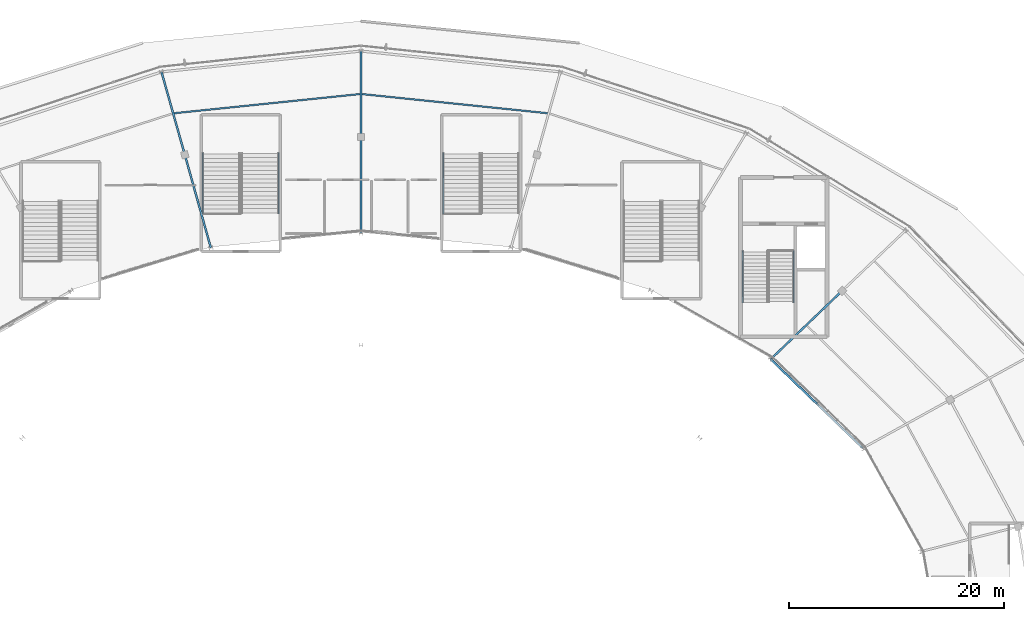
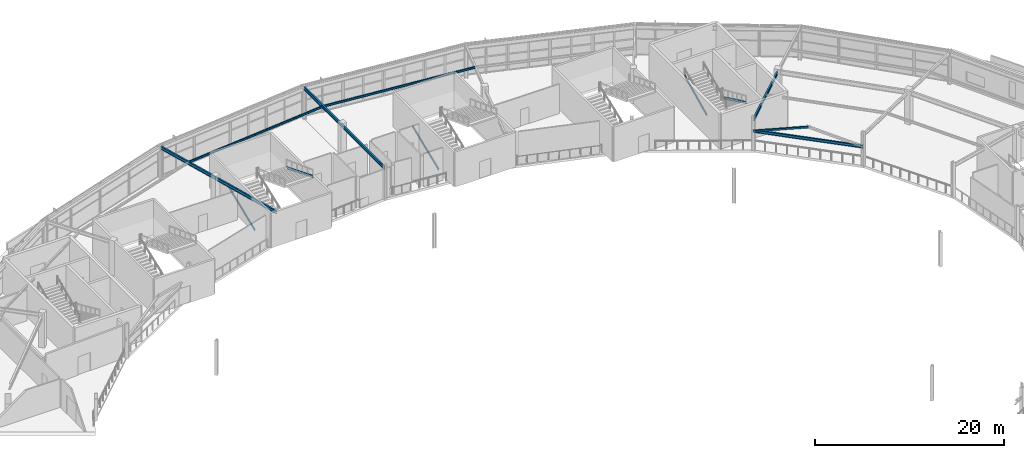
# One storey, part 68 of 126: 8 beams, 6 members.
"""IFC4 building model written with IfcOpenShell, lengths in metres."""

import ifcopenshell
import ifcopenshell.guid

model = None  # the IFC model being written
_history = None  # IfcOwnerHistory: only IFC2X3 demands one
_inside = {}  # id of a spatial element -> (the spatial element, [elements in it])
_under = {}  # id of a project, library or spatial element -> (it, [spatial elements below it])
_declared = {}  # id of a project -> (the project, [libraries it declares])
_typed = {}  # id of a type object -> (the type object, [elements of that type])
_made_of = {}  # id of a material, layer set ... -> (it, [elements and type objects made of it])


def new_model(schema):
    """Start an empty IFC model of exactly this schema.

    Asked for "IFC4X3", IfcOpenShell would pick the latest addendum, in which some entities
    have other attributes; the version numbers below select the first issue.
    IFC2X3 requires an IfcOwnerHistory on every rooted entity: one is made here for all.
    """
    global model, _history
    if schema == "IFC4X3":
        model = ifcopenshell.file(schema_version=(4, 3, 0, 0))
    else:
        model = ifcopenshell.file(schema=schema)
    _inside.clear()
    _under.clear()
    _declared.clear()
    _typed.clear()
    _made_of.clear()
    _history = None
    if model.schema == "IFC2X3":
        org = make("IfcOrganization", Name="unknown")
        user = make(
            "IfcPersonAndOrganization",
            ThePerson=make("IfcPerson", FamilyName="unknown"),
            TheOrganization=org,
        )
        app = make(
            "IfcApplication",
            ApplicationDeveloper=org,
            Version="unknown",
            ApplicationFullName="unknown",
            ApplicationIdentifier="unknown",
        )
        _history = make(
            "IfcOwnerHistory",
            OwningUser=user,
            OwningApplication=app,
            ChangeAction="ADDED",
            CreationDate=0,
        )
    return model


def make(cls, **values):
    """One entity of the class cls with the attributes given. An attribute that is None is left unset."""
    return model.create_entity(
        cls, **{name: value for name, value in values.items() if value is not None}
    )


def rooted(cls, **values):
    """An entity with a GlobalId (a new one), such as an element, a storey or a relation."""
    return make(cls, GlobalId=ifcopenshell.guid.new(), OwnerHistory=_history, **values)


def si_unit(unit_type, name, prefix=None):
    """IfcSIUnit, for example si_unit("LENGTHUNIT", "METRE", prefix="MILLI")."""
    return make("IfcSIUnit", UnitType=unit_type, Prefix=prefix, Name=name)


def assignment(units):
    """IfcUnitAssignment: the units of a project."""
    return None if units is None else make("IfcUnitAssignment", Units=units)


def point(xyz):
    """IfcCartesianPoint."""
    return None if xyz is None else make("IfcCartesianPoint", Coordinates=xyz)


def direction(xyz):
    """IfcDirection."""
    return None if xyz is None else make("IfcDirection", DirectionRatios=xyz)


def frame(location, z_axis=None, x_axis=None):
    """IfcAxis2Placement3D, a coordinate frame: its origin and axes. An axis left out is left unset."""
    return make(
        "IfcAxis2Placement3D",
        Location=point(location),
        Axis=direction(z_axis),
        RefDirection=direction(x_axis),
    )


def frame_2d(location, x_axis=None):
    """IfcAxis2Placement2D, a coordinate frame in the plane: its origin and x axis."""
    return make(
        "IfcAxis2Placement2D", Location=point(location), RefDirection=direction(x_axis)
    )


def origin():
    """The frame at (0, 0, 0) with its axes left unset."""
    return frame((0.0, 0.0, 0.0))


def origin_2d():
    """The frame at (0, 0) in the plane with its x axis left unset."""
    return frame_2d((0.0, 0.0))


def place(relative_to, where):
    """IfcLocalPlacement: puts the frame where relative to a parent placement (None: the world)."""
    return make(
        "IfcLocalPlacement", PlacementRelTo=relative_to, RelativePlacement=where
    )


def context(
    kind, dimensions, precision=None, world=None, true_north=None, identifier=None
):
    """IfcGeometricRepresentationContext, for example the 3D "Model" context."""
    return make(
        "IfcGeometricRepresentationContext",
        ContextIdentifier=identifier,
        ContextType=kind,
        CoordinateSpaceDimension=dimensions,
        Precision=precision,
        WorldCoordinateSystem=world,
        TrueNorth=true_north,
    )


def subcontext(parent, identifier, kind, view, scale=None):
    """IfcGeometricRepresentationSubContext, for example "Body" below "Model"."""
    return make(
        "IfcGeometricRepresentationSubContext",
        ContextIdentifier=identifier,
        ContextType=kind,
        ParentContext=parent,
        TargetScale=scale,
        TargetView=view,
    )


def project(units=None, contexts=None):
    """IfcProject with its units and contexts."""
    return rooted(
        "IfcProject",
        Name="project",
        RepresentationContexts=contexts,
        UnitsInContext=assignment(units),
    )


def spatial(cls, under=None, at=None, **own):
    """A site, building, storey or space (cls), placed at a placement, below another one or the project."""
    s = rooted(cls, ObjectPlacement=at, **own)
    if under is not None:
        _under.setdefault(under.id(), (under, []))[1].append(s)
    return s


def profile(cls, at=None, kind="AREA", **sizes):
    """A parametric profile (cls). Its sizes go by their IFC names, for example OverallWidth=200.0."""
    return make(cls, ProfileType=kind, Position=at, **sizes)


def hollow_rectangle(**sizes):
    """IfcRectangleHollowProfileDef."""
    return profile("IfcRectangleHollowProfileDef", **sizes)


def i_section(**sizes):
    """IfcIShapeProfileDef."""
    return profile("IfcIShapeProfileDef", **sizes)


def extrude(swept, where, along, depth):
    """IfcExtrudedAreaSolid: the profile swept, set in the frame where, extruded along a direction by depth."""
    return make(
        "IfcExtrudedAreaSolid",
        SweptArea=swept,
        Position=where,
        ExtrudedDirection=direction(along),
        Depth=depth,
    )


def shape(context_of_items, identifier, shape_type, items):
    """IfcShapeRepresentation: the items that make up one representation, for example the "Body"."""
    return make(
        "IfcShapeRepresentation",
        ContextOfItems=context_of_items,
        RepresentationIdentifier=identifier,
        RepresentationType=shape_type,
        Items=items,
    )


def material(Name=None, Category=None):
    """IfcMaterial."""
    return make("IfcMaterial", Name=Name, Category=Category)


def material_profile(
    of_material, cross_section, Name=None, Category=None, Priority=None
):
    """IfcMaterialProfile: a cross section and its material."""
    return make(
        "IfcMaterialProfile",
        Name=Name,
        Material=of_material,
        Profile=cross_section,
        Priority=Priority,
        Category=Category,
    )


def profile_set(profiles, Name=None, composite=None):
    """IfcMaterialProfileSet."""
    return make(
        "IfcMaterialProfileSet",
        Name=Name,
        MaterialProfiles=profiles,
        CompositeProfile=composite,
    )


def made_of(thing, what):
    """Note that an element or type object is made of a material, layer set ...; save() writes the relation."""
    if what is not None:
        _made_of.setdefault(what.id(), (what, []))[1].append(thing)
    return thing


def type_object(cls, material=None, **own):
    """A type object (cls), such as IfcWallType, which elements share."""
    return made_of(rooted(cls, **own), material)


def element(
    cls,
    number,
    at=None,
    inside=None,
    cuts=None,
    type_object=None,
    material=None,
    context=None,
    identifier="Body",
    shape_type=None,
    held_by="IfcProductDefinitionShape",
    body=None,
    shapes=None,
    **own,
):
    """One element of the class cls, such as IfcWall. Its Tag is "e" and its number.

    at: its placement. inside: the storey or other place that contains it. cuts: it is an
    opening in that element (IfcRelVoidsElement). A single representation is given by context,
    identifier, shape_type and body (its items); several are given by shapes. held_by: the class
    of the entity that holds the representations. save() writes the other relations.
    """
    e = rooted(cls, Tag="e%d" % number, ObjectPlacement=at, **own)
    if body is not None:
        shapes = [shape(context, identifier, shape_type, body)]
    if shapes is not None:
        e.Representation = make(held_by, Representations=shapes)
    if inside is not None:
        _inside.setdefault(inside.id(), (inside, []))[1].append(e)
    if cuts is not None:
        rooted(
            "IfcRelVoidsElement", RelatingBuildingElement=cuts, RelatedOpeningElement=e
        )
    if type_object is not None:
        _typed.setdefault(type_object.id(), (type_object, []))[1].append(e)
    return made_of(e, material)


def aggregate(whole, parts):
    """IfcRelAggregates: a whole, such as a stair, and the parts it consists of."""
    return rooted("IfcRelAggregates", RelatingObject=whole, RelatedObjects=parts)


def save(model, path):
    """Write the relations noted so far, then the file.

    IfcRelAggregates (storeys below a building ...), IfcRelContainedInSpatialStructure (elements
    in a storey), IfcRelDefinesByType, IfcRelAssociatesMaterial and IfcRelDeclares: one each for
    every whole, place, type object, material and project.
    """
    for whole, parts in _under.values():
        aggregate(whole, parts)
    for where, things in _inside.values():
        rooted(
            "IfcRelContainedInSpatialStructure",
            RelatedElements=things,
            RelatingStructure=where,
        )
    for kind, things in _typed.values():
        rooted("IfcRelDefinesByType", RelatedObjects=things, RelatingType=kind)
    for what, things in _made_of.values():
        rooted("IfcRelAssociatesMaterial", RelatedObjects=things, RelatingMaterial=what)
    for by, libraries in _declared.values():
        rooted("IfcRelDeclares", RelatingContext=by, RelatedDefinitions=libraries)
    model.write(path)


model = new_model("IFC4")

# Units and contexts
model_context = context("Model", 3, precision=1e-05, world=origin(), true_north=direction((0.0, 1.0)))
body_context = subcontext(model_context, "Body", "Model", "MODEL_VIEW")
ifc_project = project(units=[si_unit("LENGTHUNIT", "METRE"), si_unit("AREAUNIT", "SQUARE_METRE"), si_unit("VOLUMEUNIT", "CUBIC_METRE"), si_unit("PLANEANGLEUNIT", "RADIAN"), si_unit("MASSUNIT", "GRAM", prefix="KILO")], contexts=[model_context])

# Site, building, storey
site_placement = place(None, origin())
site = spatial("IfcSite", under=ifc_project, at=site_placement, CompositionType="ELEMENT")
building_placement = place(site_placement, origin())
building = spatial("IfcBuilding", under=site, at=building_placement, Name="Kalgoora Escarpment Arena", CompositionType="ELEMENT")
storey_placement = place(building_placement, frame((0.0, 0.0, 18.89990234375)))
storey = spatial("IfcBuildingStorey", under=building, at=storey_placement, Name="L04", CompositionType="ELEMENT", Elevation=18.89990234375)

# Beams
ifc_material_1 = material(Name="Structural steel AS/NZS 3679 (300 MPa)", Category="steel")
ifc_material_profile_1 = material_profile(ifc_material_1, i_section(OverallWidth=0.14599609375, OverallDepth=0.256103515625, WebThickness=0.00634765625, FlangeThickness=0.010986328125, at=origin_2d()))
ifc_profile_set_1 = profile_set([ifc_material_profile_1], Name="Structural steel AS/NZS 3679 (300 MPa)")
beam_type_1 = type_object("IfcBeamType", Name="BM-BEAM-250UB37.3", PredefinedType="BEAM", material=ifc_profile_set_1)
beam_1_placement = place(storey_placement, frame((109.896240234375, 115.194091796875, 4.08203125), z_axis=(-0.99471538009, 0.10267089467, 0.0), x_axis=(-0.10267089467, -0.99471538009, 0.0)))
element("IfcBeam", 1, at=beam_1_placement, inside=storey, type_object=beam_type_1, Name="L04 Concourse secondary ring beam 250UB37.3", PredefinedType="BEAM", context=body_context, shape_type="SweptSolid", body=[
    extrude(i_section(OverallWidth=0.14599609375, OverallDepth=0.256103515625, WebThickness=0.00634765625, FlangeThickness=0.010986328125, at=origin_2d()), origin(), (0.0, 0.0, 1.0), 17.58935546875),
])
beam_2_placement = place(storey_placement, frame((92.39990234375, 117.0, 4.08203125), z_axis=(-0.994715233773, -0.102672312238, 0.0), x_axis=(0.102672312238, -0.994715233773, 0.0)))
element("IfcBeam", 2, at=beam_2_placement, inside=storey, type_object=beam_type_1, Name="L04 Concourse secondary ring beam 250UB37.3", PredefinedType="BEAM", context=body_context, shape_type="SweptSolid", body=[
    extrude(i_section(OverallWidth=0.14599609375, OverallDepth=0.256103515625, WebThickness=0.00634765625, FlangeThickness=0.010986328125, at=origin_2d()), origin(), (0.0, 0.0, 1.0), 17.589111328125),
])
ifc_material_2 = material(Name="Structural steel AS/NZS 3679 (300 MPa)", Category="steel")
ifc_material_profile_2 = material_profile(ifc_material_2, i_section(OverallWidth=0.1708984375, OverallDepth=0.35205078125, WebThickness=0.0068359375, FlangeThickness=0.009765625, at=origin_2d()))
ifc_profile_set_2 = profile_set([ifc_material_profile_2], Name="Structural steel AS/NZS 3679 (300 MPa)")
beam_type_2 = type_object("IfcBeamType", Name="BM-BEAM-360UB44.7", PredefinedType="BEAM", material=ifc_profile_set_2)
beam_3_placement = place(storey_placement, frame((139.165283203125, 84.0, 2.524169921875), z_axis=(-0.719462119733, 0.694531682696, 0.0), x_axis=(-0.694531682696, -0.719462119733, 0.0)))
element("IfcBeam", 3, at=beam_3_placement, inside=storey, type_object=beam_type_2, Name="L04 Portal brace collector beam 360UB44.7", PredefinedType="BEAM", context=body_context, shape_type="SweptSolid", body=[
    extrude(i_section(OverallWidth=0.1708984375, OverallDepth=0.35205078125, WebThickness=0.0068359375, FlangeThickness=0.009765625, at=origin_2d()), origin(), (0.0, 0.0, 1.0), 11.927734375),
])
ifc_material_3 = material(Name="Structural steel AS/NZS 3679 (300 MPa)", Category="steel")
ifc_material_profile_3 = material_profile(ifc_material_3, i_section(OverallWidth=0.177978515625, OverallDepth=0.406005859375, WebThickness=0.0078125, FlangeThickness=0.0126953125, at=origin_2d()))
ifc_profile_set_3 = profile_set([ifc_material_profile_3], Name="Structural steel AS/NZS 3679 (300 MPa)")
beam_type_3 = type_object("IfcBeamType", Name="BM-GIRDER-410UB59.7", PredefinedType="USERDEFINED", material=ifc_profile_set_3)
beam_4_placement = place(storey_placement, frame((130.583740234375, 92.2841796875, 4.007080078125), z_axis=(0.722313931554, 0.691565314546, 0.0), x_axis=(-0.691565314546, 0.722313931554, 0.0)))
element("IfcBeam", 4, at=beam_4_placement, inside=storey, type_object=beam_type_3, Name="L04 Radial concourse girder 410UB59.7", ObjectType="GIRDER", PredefinedType="USERDEFINED", context=body_context, shape_type="SweptSolid", body=[
    extrude(i_section(OverallWidth=0.177978515625, OverallDepth=0.406005859375, WebThickness=0.0078125, FlangeThickness=0.0126953125, at=origin_2d()), origin(), (0.0, 0.0, 1.0), 9.202392578125),
])
beam_5_placement = place(storey_placement, frame((92.39990234375, 104.0, 4.007080078125), z_axis=(0.0, 1.0, 0.0), x_axis=(-1.0, 0.0, 0.0)))
element("IfcBeam", 5, at=beam_5_placement, inside=storey, type_object=beam_type_3, Name="L04 Radial concourse girder 410UB59.7", ObjectType="GIRDER", PredefinedType="USERDEFINED", context=body_context, shape_type="SweptSolid", body=[
    extrude(i_section(OverallWidth=0.177978515625, OverallDepth=0.406005859375, WebThickness=0.0078125, FlangeThickness=0.0126953125, at=origin_2d()), origin(), (0.0, 0.0, 1.0), 9.0),
])
beam_6_placement = place(storey_placement, frame((92.39990234375, 113.0, 4.007080078125), z_axis=(0.0, 1.0, 0.0), x_axis=(-1.0, 0.0, 0.0)))
element("IfcBeam", 6, at=beam_6_placement, inside=storey, type_object=beam_type_3, Name="L04 Radial concourse girder 410UB59.7", ObjectType="GIRDER", PredefinedType="USERDEFINED", context=body_context, shape_type="SweptSolid", body=[
    extrude(i_section(OverallWidth=0.177978515625, OverallDepth=0.406005859375, WebThickness=0.0078125, FlangeThickness=0.0126953125, at=origin_2d()), origin(), (0.0, 0.0, 1.0), 8.0),
])
beam_7_placement = place(storey_placement, frame((78.423828125, 102.636962890625, 4.01708984375), z_axis=(-0.269498512386, 0.963000805722, 0.0), x_axis=(-0.963000805722, -0.269498512386, 0.0)))
element("IfcBeam", 7, at=beam_7_placement, inside=storey, type_object=beam_type_3, Name="L04 Radial concourse girder 410UB59.7", ObjectType="GIRDER", PredefinedType="USERDEFINED", context=body_context, shape_type="SweptSolid", body=[
    extrude(i_section(OverallWidth=0.177978515625, OverallDepth=0.406005859375, WebThickness=0.0078125, FlangeThickness=0.0126953125, at=origin_2d()), origin(), (0.0, 0.0, 1.0), 9.02734375),
])
beam_8_placement = place(storey_placement, frame((75.990966796875, 111.330322265625, 4.01708984375), z_axis=(-0.27082660355, 0.962628147734, 0.0), x_axis=(-0.962628147734, -0.27082660355, 0.0)))
element("IfcBeam", 8, at=beam_8_placement, inside=storey, type_object=beam_type_3, Name="L04 Radial concourse girder 410UB59.7", ObjectType="GIRDER", PredefinedType="USERDEFINED", context=body_context, shape_type="SweptSolid", body=[
    extrude(i_section(OverallWidth=0.177978515625, OverallDepth=0.406005859375, WebThickness=0.0078125, FlangeThickness=0.0126953125, at=origin_2d()), origin(), (0.0, 0.0, 1.0), 8.027587890625),
])

# Members
ifc_material_4 = material(Name="Structural steel C350 (350 MPa)", Category="steel")
ifc_material_profile_4 = material_profile(ifc_material_4, hollow_rectangle(XDim=0.199951171875, YDim=0.199951171875, WallThickness=0.009033203125, at=origin_2d()))
ifc_profile_set_4 = profile_set([ifc_material_profile_4], Name="Structural steel C350 (350 MPa)")
member_type_1 = type_object("IfcMemberType", Name="MEM-BRACE-SHS200", PredefinedType="BRACE", material=ifc_profile_set_4)
member_placement = place(storey_placement, frame((130.583740234375, 92.2841796875, 2.52001953125), z_axis=(0.696893494727, -0.672745094255, 0.248502505346), x_axis=(0.694531682696, 0.719462119733, 0.0)))
element("IfcMember", 9, at=member_placement, inside=storey, type_object=member_type_1, Name="L04 concentric lateral brace R03-2", PredefinedType="BRACE", context=body_context, shape_type="SweptSolid", body=[
    extrude(hollow_rectangle(XDim=0.199951171875, YDim=0.199951171875, WallThickness=0.009033203125, at=origin_2d()), origin(), (0.0, 0.0, 1.0), 6.156982421875),
])
ifc_material_5 = material(Name="Structural steel AS/NZS 3679 (300 MPa)", Category="steel")
ifc_material_profile_5 = material_profile(ifc_material_5, i_section(OverallWidth=0.090087890625, OverallDepth=0.300048828125, WebThickness=0.008056640625, FlangeThickness=0.01611328125, at=origin_2d()))
ifc_profile_set_5 = profile_set([ifc_material_profile_5], Name="Structural steel AS/NZS 3679 (300 MPa)")
member_type_2 = type_object("IfcMemberType", Name="MEM-STRINGER-PFC", PredefinedType="STRINGER", material=ifc_profile_set_5)
for number, where, z_axis, x_axis, name in (
    (10, (132.72998046875, 102.31005859375, -0.039794921875), (0.0, -0.902682652253, 0.430306901317), (1.0, 0.0, 0.0), "ST04 L04 steel stair stringer 1"),
    (11, (127.969970703125, 97.590087890625, 2.210205078125), (0.0, 0.902682652253, 0.430306901317), (-1.0, 0.0, 0.0), "ST04 L04 steel stair stringer 2"),
):
    element("IfcMember", number, at=place(storey_placement, frame(where, z_axis=z_axis, x_axis=x_axis)), inside=storey, type_object=member_type_2, Name=name, PredefinedType="STRINGER", context=body_context, shape_type="SweptSolid", body=[
        extrude(i_section(OverallWidth=0.090087890625, OverallDepth=0.300048828125, WebThickness=0.008056640625, FlangeThickness=0.01611328125, at=origin_2d()), origin(), (0.0, 0.0, 1.0), 5.228759765625),
    ])
for number, where, z_axis, x_axis, name in (
    (12, (77.669921875, 105.889892578125, -0.039794921875), (0.0, 0.926975796404, 0.375121144273), (-1.0, 0.0, 0.0), "ST10 L04 steel stair stringer 1"),
    (13, (84.72998046875, 111.449951171875, 2.210205078125), (0.0, -0.926975796404, 0.375121144273), (1.0, 0.0, 0.0), "ST10 L04 steel stair stringer 2"),
    (14, (100.070068359375, 105.889892578125, -0.039794921875), (0.0, 0.926975796404, 0.375121144273), (-1.0, 0.0, 0.0), "ST11 L04 steel stair stringer 1"),
):
    element("IfcMember", number, at=place(storey_placement, frame(where, z_axis=z_axis, x_axis=x_axis)), inside=storey, type_object=member_type_2, Name=name, PredefinedType="STRINGER", context=body_context, shape_type="SweptSolid", body=[
        extrude(i_section(OverallWidth=0.090087890625, OverallDepth=0.300048828125, WebThickness=0.008056640625, FlangeThickness=0.01611328125, at=origin_2d()), origin(), (0.0, 0.0, 1.0), 5.998046875),
    ])

save(model, "model.ifc")
